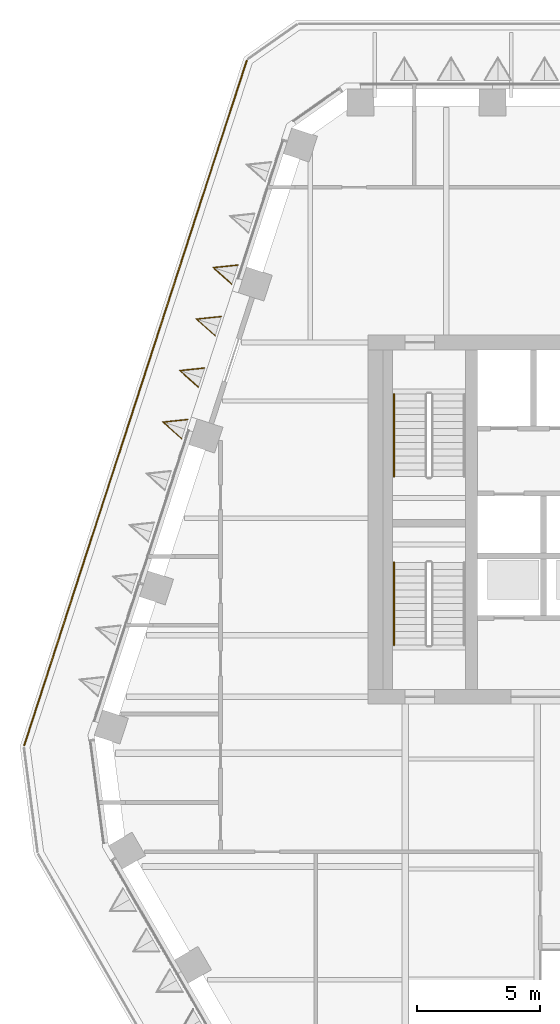
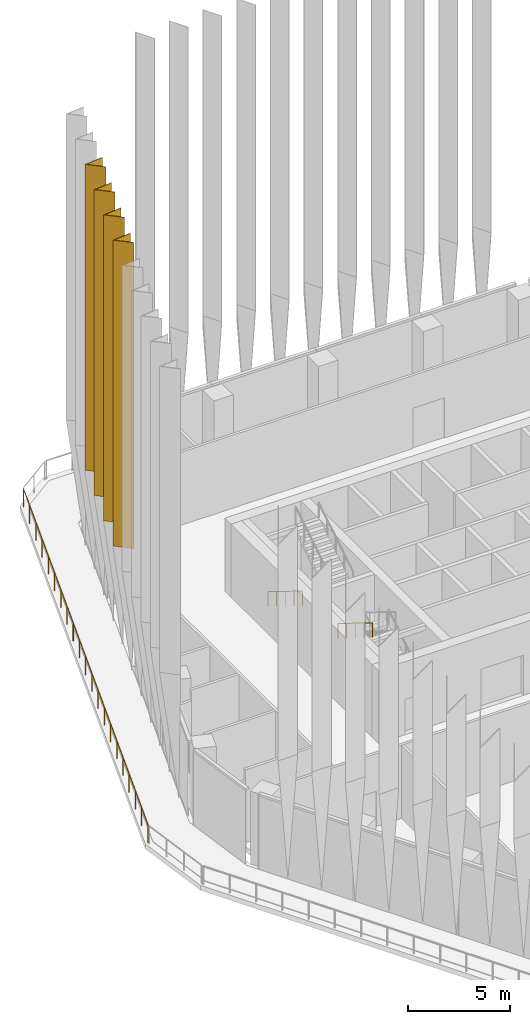
# One storey, part 14 of 21: 4 coverings, 3 railings.
"""IFC4 building model written with IfcOpenShell, lengths in metres."""

import ifcopenshell
import ifcopenshell.guid

model = None  # the IFC model being written
_history = None  # IfcOwnerHistory: only IFC2X3 demands one
_inside = {}  # id of a spatial element -> (the spatial element, [elements in it])
_under = {}  # id of a project, library or spatial element -> (it, [spatial elements below it])
_declared = {}  # id of a project -> (the project, [libraries it declares])
_typed = {}  # id of a type object -> (the type object, [elements of that type])
_made_of = {}  # id of a material, layer set ... -> (it, [elements and type objects made of it])


def new_model(schema):
    """Start an empty IFC model of exactly this schema.

    Asked for "IFC4X3", IfcOpenShell would pick the latest addendum, in which some entities
    have other attributes; the version numbers below select the first issue.
    IFC2X3 requires an IfcOwnerHistory on every rooted entity: one is made here for all.
    """
    global model, _history
    if schema == "IFC4X3":
        model = ifcopenshell.file(schema_version=(4, 3, 0, 0))
    else:
        model = ifcopenshell.file(schema=schema)
    _inside.clear()
    _under.clear()
    _declared.clear()
    _typed.clear()
    _made_of.clear()
    _history = None
    if model.schema == "IFC2X3":
        org = make("IfcOrganization", Name="unknown")
        user = make(
            "IfcPersonAndOrganization",
            ThePerson=make("IfcPerson", FamilyName="unknown"),
            TheOrganization=org,
        )
        app = make(
            "IfcApplication",
            ApplicationDeveloper=org,
            Version="unknown",
            ApplicationFullName="unknown",
            ApplicationIdentifier="unknown",
        )
        _history = make(
            "IfcOwnerHistory",
            OwningUser=user,
            OwningApplication=app,
            ChangeAction="ADDED",
            CreationDate=0,
        )
    return model


def make(cls, **values):
    """One entity of the class cls with the attributes given. An attribute that is None is left unset."""
    return model.create_entity(
        cls, **{name: value for name, value in values.items() if value is not None}
    )


def rooted(cls, **values):
    """An entity with a GlobalId (a new one), such as an element, a storey or a relation."""
    return make(cls, GlobalId=ifcopenshell.guid.new(), OwnerHistory=_history, **values)


def si_unit(unit_type, name, prefix=None):
    """IfcSIUnit, for example si_unit("LENGTHUNIT", "METRE", prefix="MILLI")."""
    return make("IfcSIUnit", UnitType=unit_type, Prefix=prefix, Name=name)


def assignment(units):
    """IfcUnitAssignment: the units of a project."""
    return None if units is None else make("IfcUnitAssignment", Units=units)


def point(xyz):
    """IfcCartesianPoint."""
    return None if xyz is None else make("IfcCartesianPoint", Coordinates=xyz)


def direction(xyz):
    """IfcDirection."""
    return None if xyz is None else make("IfcDirection", DirectionRatios=xyz)


def frame(location, z_axis=None, x_axis=None):
    """IfcAxis2Placement3D, a coordinate frame: its origin and axes. An axis left out is left unset."""
    return make(
        "IfcAxis2Placement3D",
        Location=point(location),
        Axis=direction(z_axis),
        RefDirection=direction(x_axis),
    )


def frame_2d(location, x_axis=None):
    """IfcAxis2Placement2D, a coordinate frame in the plane: its origin and x axis."""
    return make(
        "IfcAxis2Placement2D", Location=point(location), RefDirection=direction(x_axis)
    )


def origin():
    """The frame at (0, 0, 0) with its axes left unset."""
    return frame((0.0, 0.0, 0.0))


def origin_2d():
    """The frame at (0, 0) in the plane with its x axis left unset."""
    return frame_2d((0.0, 0.0))


def place(relative_to, where):
    """IfcLocalPlacement: puts the frame where relative to a parent placement (None: the world)."""
    return make(
        "IfcLocalPlacement", PlacementRelTo=relative_to, RelativePlacement=where
    )


def context(
    kind, dimensions, precision=None, world=None, true_north=None, identifier=None
):
    """IfcGeometricRepresentationContext, for example the 3D "Model" context."""
    return make(
        "IfcGeometricRepresentationContext",
        ContextIdentifier=identifier,
        ContextType=kind,
        CoordinateSpaceDimension=dimensions,
        Precision=precision,
        WorldCoordinateSystem=world,
        TrueNorth=true_north,
    )


def subcontext(parent, identifier, kind, view, scale=None):
    """IfcGeometricRepresentationSubContext, for example "Body" below "Model"."""
    return make(
        "IfcGeometricRepresentationSubContext",
        ContextIdentifier=identifier,
        ContextType=kind,
        ParentContext=parent,
        TargetScale=scale,
        TargetView=view,
    )


def project(units=None, contexts=None):
    """IfcProject with its units and contexts."""
    return rooted(
        "IfcProject",
        Name="project",
        RepresentationContexts=contexts,
        UnitsInContext=assignment(units),
    )


def spatial(cls, under=None, at=None, **own):
    """A site, building, storey or space (cls), placed at a placement, below another one or the project."""
    s = rooted(cls, ObjectPlacement=at, **own)
    if under is not None:
        _under.setdefault(under.id(), (under, []))[1].append(s)
    return s


def polyline(points):
    """IfcPolyline through the points."""
    return make("IfcPolyline", Points=[point(p) for p in points])


def profile(cls, at=None, kind="AREA", **sizes):
    """A parametric profile (cls). Its sizes go by their IFC names, for example OverallWidth=200.0."""
    return make(cls, ProfileType=kind, Position=at, **sizes)


def circle(**sizes):
    """IfcCircleProfileDef."""
    return profile("IfcCircleProfileDef", **sizes)


def outline(outer, holes=None, kind="AREA"):
    """IfcArbitraryClosedProfileDef: a profile drawn as a closed curve; with holes, ...WithVoids."""
    if holes is None:
        return make("IfcArbitraryClosedProfileDef", ProfileType=kind, OuterCurve=outer)
    return make(
        "IfcArbitraryProfileDefWithVoids",
        ProfileType=kind,
        OuterCurve=outer,
        InnerCurves=holes,
    )


def extrude(swept, where, along, depth):
    """IfcExtrudedAreaSolid: the profile swept, set in the frame where, extruded along a direction by depth."""
    return make(
        "IfcExtrudedAreaSolid",
        SweptArea=swept,
        Position=where,
        ExtrudedDirection=direction(along),
        Depth=depth,
    )


def shape(context_of_items, identifier, shape_type, items):
    """IfcShapeRepresentation: the items that make up one representation, for example the "Body"."""
    return make(
        "IfcShapeRepresentation",
        ContextOfItems=context_of_items,
        RepresentationIdentifier=identifier,
        RepresentationType=shape_type,
        Items=items,
    )


def material(Name=None, Category=None):
    """IfcMaterial."""
    return make("IfcMaterial", Name=Name, Category=Category)


def material_profile(
    of_material, cross_section, Name=None, Category=None, Priority=None
):
    """IfcMaterialProfile: a cross section and its material."""
    return make(
        "IfcMaterialProfile",
        Name=Name,
        Material=of_material,
        Profile=cross_section,
        Priority=Priority,
        Category=Category,
    )


def profile_set(profiles, Name=None, composite=None):
    """IfcMaterialProfileSet."""
    return make(
        "IfcMaterialProfileSet",
        Name=Name,
        MaterialProfiles=profiles,
        CompositeProfile=composite,
    )


def made_of(thing, what):
    """Note that an element or type object is made of a material, layer set ...; save() writes the relation."""
    if what is not None:
        _made_of.setdefault(what.id(), (what, []))[1].append(thing)
    return thing


def type_object(cls, material=None, **own):
    """A type object (cls), such as IfcWallType, which elements share."""
    return made_of(rooted(cls, **own), material)


def element(
    cls,
    number,
    at=None,
    inside=None,
    cuts=None,
    type_object=None,
    material=None,
    context=None,
    identifier="Body",
    shape_type=None,
    held_by="IfcProductDefinitionShape",
    body=None,
    shapes=None,
    **own,
):
    """One element of the class cls, such as IfcWall. Its Tag is "e" and its number.

    at: its placement. inside: the storey or other place that contains it. cuts: it is an
    opening in that element (IfcRelVoidsElement). A single representation is given by context,
    identifier, shape_type and body (its items); several are given by shapes. held_by: the class
    of the entity that holds the representations. save() writes the other relations.
    """
    e = rooted(cls, Tag="e%d" % number, ObjectPlacement=at, **own)
    if body is not None:
        shapes = [shape(context, identifier, shape_type, body)]
    if shapes is not None:
        e.Representation = make(held_by, Representations=shapes)
    if inside is not None:
        _inside.setdefault(inside.id(), (inside, []))[1].append(e)
    if cuts is not None:
        rooted(
            "IfcRelVoidsElement", RelatingBuildingElement=cuts, RelatedOpeningElement=e
        )
    if type_object is not None:
        _typed.setdefault(type_object.id(), (type_object, []))[1].append(e)
    return made_of(e, material)


def aggregate(whole, parts):
    """IfcRelAggregates: a whole, such as a stair, and the parts it consists of."""
    return rooted("IfcRelAggregates", RelatingObject=whole, RelatedObjects=parts)


def save(model, path):
    """Write the relations noted so far, then the file.

    IfcRelAggregates (storeys below a building ...), IfcRelContainedInSpatialStructure (elements
    in a storey), IfcRelDefinesByType, IfcRelAssociatesMaterial and IfcRelDeclares: one each for
    every whole, place, type object, material and project.
    """
    for whole, parts in _under.values():
        aggregate(whole, parts)
    for where, things in _inside.values():
        rooted(
            "IfcRelContainedInSpatialStructure",
            RelatedElements=things,
            RelatingStructure=where,
        )
    for kind, things in _typed.values():
        rooted("IfcRelDefinesByType", RelatedObjects=things, RelatingType=kind)
    for what, things in _made_of.values():
        rooted("IfcRelAssociatesMaterial", RelatedObjects=things, RelatingMaterial=what)
    for by, libraries in _declared.values():
        rooted("IfcRelDeclares", RelatingContext=by, RelatedDefinitions=libraries)
    model.write(path)


model = new_model("IFC4")

# Units and contexts
model_context = context("Model", 3, precision=1e-05, world=origin(), true_north=direction((0.0, 1.0)))
body_context = subcontext(model_context, "Body", "Model", "MODEL_VIEW")
ifc_project = project(units=[si_unit("LENGTHUNIT", "METRE"), si_unit("AREAUNIT", "SQUARE_METRE"), si_unit("VOLUMEUNIT", "CUBIC_METRE"), si_unit("PLANEANGLEUNIT", "RADIAN"), si_unit("MASSUNIT", "GRAM", prefix="KILO")], contexts=[model_context])

# Site, building, storey
site_placement = place(None, origin())
site = spatial("IfcSite", under=ifc_project, at=site_placement, CompositionType="ELEMENT")
building_placement = place(site_placement, origin())
building = spatial("IfcBuilding", under=site, at=building_placement, Name="Isthmus Gate Tower", CompositionType="ELEMENT")
storey_placement = place(building_placement, frame((0.0, 0.0, 211.800048828125)))
storey = spatial("IfcBuildingStorey", under=building, at=storey_placement, Name="L53", CompositionType="ELEMENT", Elevation=211.800048828125)

# Coverings
ifc_material_1 = material(Name="Structural steel ASTM A572 Gr 50, white paint system", Category="steel")
ifc_material_profile = material_profile(ifc_material_1, outline(polyline([(0.0, -0.427490234375), (0.9599609375, 0.0), (0.0, 0.427490234375), (0.0, 0.39453125), (0.88623046875, 0.0), (0.0, -0.39453125), (0.0, -0.427490234375)])), Name="V960")
ifc_profile_set = profile_set([ifc_material_profile], Name="Structural steel ASTM A572 Gr 50, white paint system")
covering_type = type_object("IfcCoveringType", Name="FIN V 960 DEEP", PredefinedType="CLADDING", material=ifc_profile_set)
for number, where, z_axis, x_axis, name in (
    (1, (-20.40966796875, 17.45166015625, 7.75), (0.0, 0.0, 1.0), (-0.951056516295, 0.309016994375, 0.0), "FIN"),
    (2, (-21.089599609375, 15.359375, 7.75), (0.0, 0.0, 1.0), (-0.951056516295, 0.309016994375, 0.0), "FIN"),
    (3, (-21.769287109375, 13.26708984375, 7.75), (0.0, 0.0, 1.0), (-0.951056516295, 0.309016994375, 0.0), "FIN"),
    (4, (-22.44921875, 11.1748046875, 7.75), (0.0, 0.0, 1.0), (-0.951056516295, 0.309016994375, 0.0), "FIN"),
):
    element("IfcCovering", number, at=place(storey_placement, frame(where, z_axis=z_axis, x_axis=x_axis)), inside=storey, type_object=covering_type, Name=name, ObjectType="FIN", PredefinedType="CLADDING", context=body_context, shape_type="SweptSolid", body=[
        extrude(outline(polyline([(0.0, -0.427490234375), (0.9599609375, 0.0), (0.0, 0.427490234375), (0.0, 0.39453125), (0.88623046875, 0.0), (0.0, -0.39453125), (0.0, -0.427490234375)])), origin(), (0.0, 0.0, 1.0), 18.25),
    ])

# Railings
ifc_material_2 = material(Name="Stainless steel posts and toughened laminated glass", Category="steel")
railing_type_1 = type_object("IfcRailingType", Name="GUARD 1100 LEDGE GLASS", PredefinedType="GUARDRAIL", material=ifc_material_2)
railing_placement = place(storey_placement, frame((-28.974609375, -1.67724609375, 0.0)))
element("IfcRailing", 5, at=railing_placement, inside=storey, type_object=railing_type_1, Name="LEDGE GUARD", PredefinedType="GUARDRAIL", context=body_context, shape_type="SweptSolid", body=[
    extrude(circle(Radius=0.02490234375, at=origin_2d()), frame((0.0, 0.0, 1.0751953125), z_axis=(0.309021519496, 0.951055045982, 0.0), x_axis=(-0.951055045982, 0.309021519496, 0.0)), (0.0, 0.0, 1.0), 29.247314453125),
    extrude(circle(Radius=0.02490234375, at=origin_2d()), origin(), (0.0, 0.0, 1.0), 1.050048828125),
    extrude(circle(Radius=0.02490234375, at=origin_2d()), frame((0.451904296875, 1.390869140625, 0.0)), (0.0, 0.0, 1.0), 1.050048828125),
    extrude(circle(Radius=0.02490234375, at=origin_2d()), frame((0.90380859375, 2.781494140625, 0.0)), (0.0, 0.0, 1.0), 1.050048828125),
    extrude(circle(Radius=0.02490234375, at=origin_2d()), frame((1.355712890625, 4.17236328125, 0.0)), (0.0, 0.0, 1.0), 1.050048828125),
    extrude(circle(Radius=0.02490234375, at=origin_2d()), frame((1.8076171875, 5.563232421875, 0.0)), (0.0, 0.0, 1.0), 1.050048828125),
    extrude(circle(Radius=0.02490234375, at=origin_2d()), frame((2.259521484375, 6.9541015625, 0.0)), (0.0, 0.0, 1.0), 1.050048828125),
    extrude(circle(Radius=0.02490234375, at=origin_2d()), frame((2.71142578125, 8.3447265625, 0.0)), (0.0, 0.0, 1.0), 1.050048828125),
    extrude(circle(Radius=0.02490234375, at=origin_2d()), frame((3.163330078125, 9.735595703125, 0.0)), (0.0, 0.0, 1.0), 1.050048828125),
    extrude(circle(Radius=0.02490234375, at=origin_2d()), frame((3.615234375, 11.12646484375, 0.0)), (0.0, 0.0, 1.0), 1.050048828125),
    extrude(circle(Radius=0.02490234375, at=origin_2d()), frame((4.067138671875, 12.51708984375, 0.0)), (0.0, 0.0, 1.0), 1.050048828125),
    extrude(circle(Radius=0.02490234375, at=origin_2d()), frame((4.51904296875, 13.907958984375, 0.0)), (0.0, 0.0, 1.0), 1.050048828125),
    extrude(circle(Radius=0.02490234375, at=origin_2d()), frame((4.970947265625, 15.298828125, 0.0)), (0.0, 0.0, 1.0), 1.050048828125),
    extrude(circle(Radius=0.02490234375, at=origin_2d()), frame((5.4228515625, 16.689453125, 0.0)), (0.0, 0.0, 1.0), 1.050048828125),
    extrude(circle(Radius=0.02490234375, at=origin_2d()), frame((5.874755859375, 18.080322265625, 0.0)), (0.0, 0.0, 1.0), 1.050048828125),
    extrude(circle(Radius=0.02490234375, at=origin_2d()), frame((6.32666015625, 19.47119140625, 0.0)), (0.0, 0.0, 1.0), 1.050048828125),
    extrude(circle(Radius=0.02490234375, at=origin_2d()), frame((6.778564453125, 20.86181640625, 0.0)), (0.0, 0.0, 1.0), 1.050048828125),
    extrude(circle(Radius=0.02490234375, at=origin_2d()), frame((7.23046875, 22.252685546875, 0.0)), (0.0, 0.0, 1.0), 1.050048828125),
    extrude(circle(Radius=0.02490234375, at=origin_2d()), frame((7.682373046875, 23.6435546875, 0.0)), (0.0, 0.0, 1.0), 1.050048828125),
    extrude(circle(Radius=0.02490234375, at=origin_2d()), frame((8.13427734375, 25.034423828125, 0.0)), (0.0, 0.0, 1.0), 1.050048828125),
    extrude(circle(Radius=0.02490234375, at=origin_2d()), frame((8.586181640625, 26.425048828125, 0.0)), (0.0, 0.0, 1.0), 1.050048828125),
    extrude(circle(Radius=0.02490234375, at=origin_2d()), frame((9.0380859375, 27.81591796875, 0.0)), (0.0, 0.0, 1.0), 1.050048828125),
])
ifc_material_3 = material(Name="Stainless steel handrail", Category="steel")
railing_type_2 = type_object("IfcRailingType", Name="STAIR HANDRAIL 900", PredefinedType="HANDRAIL", material=ifc_material_3)
for number, where, name in (
    (6, (-13.949951171875, 12.60009765625, 0.173095703125), "L53 ST1 stair handrail 1"),
    (7, (-13.949951171875, 5.760009765625, 2.423095703125), "L53 ST7 stair handrail 2"),
):
    element("IfcRailing", number, at=place(storey_placement, frame(where)), inside=storey, type_object=railing_type_2, Name=name, PredefinedType="HANDRAIL", context=body_context, shape_type="SweptSolid", body=[
        extrude(circle(Radius=0.02392578125, at=origin_2d()), frame((0.0, 0.0, 0.8759765625), z_axis=(0.0, -0.850623216509, 0.525775754039), x_axis=(1.0, 0.0, 0.0)), (0.0, 0.0, 1.0), 3.9501953125),
        extrude(circle(Radius=0.02099609375, at=origin_2d()), origin(), (0.0, 0.0, 1.0), 0.851806640625),
        extrude(circle(Radius=0.02099609375, at=origin_2d()), frame((0.0, -0.840087890625, 0.519287109375)), (0.0, 0.0, 1.0), 0.851806640625),
        extrude(circle(Radius=0.02099609375, at=origin_2d()), frame((0.0, -1.68017578125, 1.03857421875)), (0.0, 0.0, 1.0), 0.851806640625),
        extrude(circle(Radius=0.02099609375, at=origin_2d()), frame((0.0, -2.52001953125, 1.5576171875)), (0.0, 0.0, 1.0), 0.851806640625),
        extrude(circle(Radius=0.02099609375, at=origin_2d()), frame((0.0, -3.360107421875, 2.076904296875)), (0.0, 0.0, 1.0), 0.851806640625),
    ])

save(model, "model.ifc")
